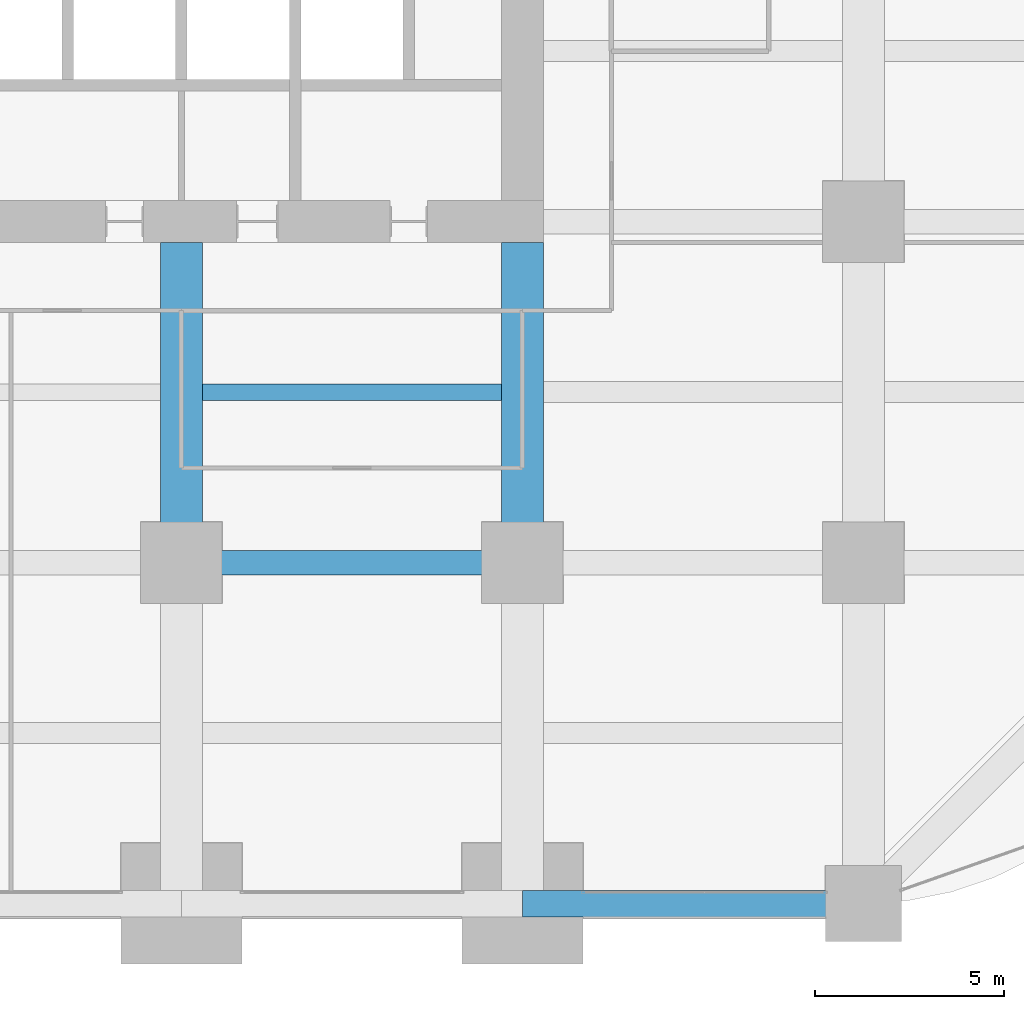
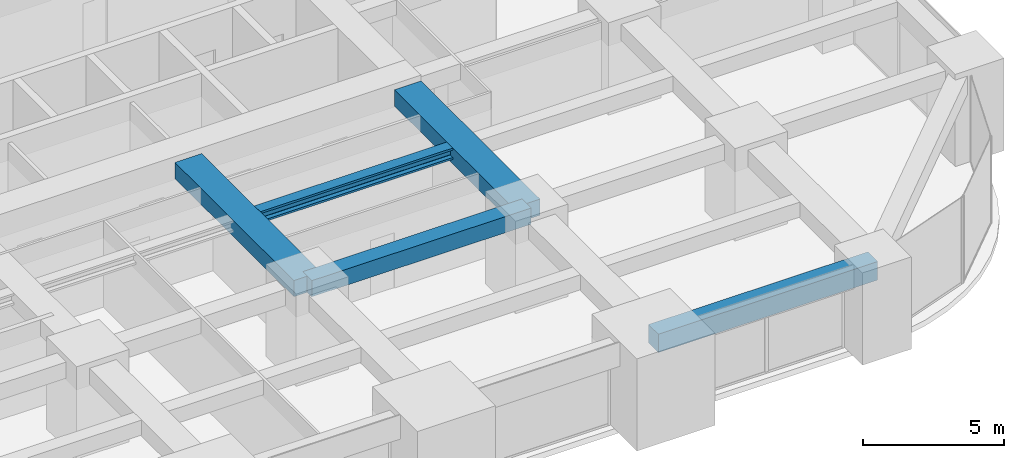
# One storey, part 15 of 41: 5 beams.
"""IFC4 building model written with IfcOpenShell, lengths in metres."""

import ifcopenshell
import ifcopenshell.guid

model = None  # the IFC model being written
_history = None  # IfcOwnerHistory: only IFC2X3 demands one
_inside = {}  # id of a spatial element -> (the spatial element, [elements in it])
_under = {}  # id of a project, library or spatial element -> (it, [spatial elements below it])
_declared = {}  # id of a project -> (the project, [libraries it declares])
_typed = {}  # id of a type object -> (the type object, [elements of that type])
_made_of = {}  # id of a material, layer set ... -> (it, [elements and type objects made of it])


def new_model(schema):
    """Start an empty IFC model of exactly this schema.

    Asked for "IFC4X3", IfcOpenShell would pick the latest addendum, in which some entities
    have other attributes; the version numbers below select the first issue.
    IFC2X3 requires an IfcOwnerHistory on every rooted entity: one is made here for all.
    """
    global model, _history
    if schema == "IFC4X3":
        model = ifcopenshell.file(schema_version=(4, 3, 0, 0))
    else:
        model = ifcopenshell.file(schema=schema)
    _inside.clear()
    _under.clear()
    _declared.clear()
    _typed.clear()
    _made_of.clear()
    _history = None
    if model.schema == "IFC2X3":
        org = make("IfcOrganization", Name="unknown")
        user = make(
            "IfcPersonAndOrganization",
            ThePerson=make("IfcPerson", FamilyName="unknown"),
            TheOrganization=org,
        )
        app = make(
            "IfcApplication",
            ApplicationDeveloper=org,
            Version="unknown",
            ApplicationFullName="unknown",
            ApplicationIdentifier="unknown",
        )
        _history = make(
            "IfcOwnerHistory",
            OwningUser=user,
            OwningApplication=app,
            ChangeAction="ADDED",
            CreationDate=0,
        )
    return model


def make(cls, **values):
    """One entity of the class cls with the attributes given. An attribute that is None is left unset."""
    return model.create_entity(
        cls, **{name: value for name, value in values.items() if value is not None}
    )


def rooted(cls, **values):
    """An entity with a GlobalId (a new one), such as an element, a storey or a relation."""
    return make(cls, GlobalId=ifcopenshell.guid.new(), OwnerHistory=_history, **values)


def si_unit(unit_type, name, prefix=None):
    """IfcSIUnit, for example si_unit("LENGTHUNIT", "METRE", prefix="MILLI")."""
    return make("IfcSIUnit", UnitType=unit_type, Prefix=prefix, Name=name)


def assignment(units):
    """IfcUnitAssignment: the units of a project."""
    return None if units is None else make("IfcUnitAssignment", Units=units)


def point(xyz):
    """IfcCartesianPoint."""
    return None if xyz is None else make("IfcCartesianPoint", Coordinates=xyz)


def direction(xyz):
    """IfcDirection."""
    return None if xyz is None else make("IfcDirection", DirectionRatios=xyz)


def frame(location, z_axis=None, x_axis=None):
    """IfcAxis2Placement3D, a coordinate frame: its origin and axes. An axis left out is left unset."""
    return make(
        "IfcAxis2Placement3D",
        Location=point(location),
        Axis=direction(z_axis),
        RefDirection=direction(x_axis),
    )


def frame_2d(location, x_axis=None):
    """IfcAxis2Placement2D, a coordinate frame in the plane: its origin and x axis."""
    return make(
        "IfcAxis2Placement2D", Location=point(location), RefDirection=direction(x_axis)
    )


def origin():
    """The frame at (0, 0, 0) with its axes left unset."""
    return frame((0.0, 0.0, 0.0))


def origin_2d():
    """The frame at (0, 0) in the plane with its x axis left unset."""
    return frame_2d((0.0, 0.0))


def place(relative_to, where):
    """IfcLocalPlacement: puts the frame where relative to a parent placement (None: the world)."""
    return make(
        "IfcLocalPlacement", PlacementRelTo=relative_to, RelativePlacement=where
    )


def context(
    kind, dimensions, precision=None, world=None, true_north=None, identifier=None
):
    """IfcGeometricRepresentationContext, for example the 3D "Model" context."""
    return make(
        "IfcGeometricRepresentationContext",
        ContextIdentifier=identifier,
        ContextType=kind,
        CoordinateSpaceDimension=dimensions,
        Precision=precision,
        WorldCoordinateSystem=world,
        TrueNorth=true_north,
    )


def subcontext(parent, identifier, kind, view, scale=None):
    """IfcGeometricRepresentationSubContext, for example "Body" below "Model"."""
    return make(
        "IfcGeometricRepresentationSubContext",
        ContextIdentifier=identifier,
        ContextType=kind,
        ParentContext=parent,
        TargetScale=scale,
        TargetView=view,
    )


def project(units=None, contexts=None):
    """IfcProject with its units and contexts."""
    return rooted(
        "IfcProject",
        Name="project",
        RepresentationContexts=contexts,
        UnitsInContext=assignment(units),
    )


def spatial(cls, under=None, at=None, **own):
    """A site, building, storey or space (cls), placed at a placement, below another one or the project."""
    s = rooted(cls, ObjectPlacement=at, **own)
    if under is not None:
        _under.setdefault(under.id(), (under, []))[1].append(s)
    return s


def profile(cls, at=None, kind="AREA", **sizes):
    """A parametric profile (cls). Its sizes go by their IFC names, for example OverallWidth=200.0."""
    return make(cls, ProfileType=kind, Position=at, **sizes)


def rectangle(**sizes):
    """IfcRectangleProfileDef."""
    return profile("IfcRectangleProfileDef", **sizes)


def i_section(**sizes):
    """IfcIShapeProfileDef."""
    return profile("IfcIShapeProfileDef", **sizes)


def extrude(swept, where, along, depth):
    """IfcExtrudedAreaSolid: the profile swept, set in the frame where, extruded along a direction by depth."""
    return make(
        "IfcExtrudedAreaSolid",
        SweptArea=swept,
        Position=where,
        ExtrudedDirection=direction(along),
        Depth=depth,
    )


def shape(context_of_items, identifier, shape_type, items):
    """IfcShapeRepresentation: the items that make up one representation, for example the "Body"."""
    return make(
        "IfcShapeRepresentation",
        ContextOfItems=context_of_items,
        RepresentationIdentifier=identifier,
        RepresentationType=shape_type,
        Items=items,
    )


def material(Name=None, Category=None):
    """IfcMaterial."""
    return make("IfcMaterial", Name=Name, Category=Category)


def material_profile(
    of_material, cross_section, Name=None, Category=None, Priority=None
):
    """IfcMaterialProfile: a cross section and its material."""
    return make(
        "IfcMaterialProfile",
        Name=Name,
        Material=of_material,
        Profile=cross_section,
        Priority=Priority,
        Category=Category,
    )


def profile_set(profiles, Name=None, composite=None):
    """IfcMaterialProfileSet."""
    return make(
        "IfcMaterialProfileSet",
        Name=Name,
        MaterialProfiles=profiles,
        CompositeProfile=composite,
    )


def made_of(thing, what):
    """Note that an element or type object is made of a material, layer set ...; save() writes the relation."""
    if what is not None:
        _made_of.setdefault(what.id(), (what, []))[1].append(thing)
    return thing


def type_object(cls, material=None, **own):
    """A type object (cls), such as IfcWallType, which elements share."""
    return made_of(rooted(cls, **own), material)


def element(
    cls,
    number,
    at=None,
    inside=None,
    cuts=None,
    type_object=None,
    material=None,
    context=None,
    identifier="Body",
    shape_type=None,
    held_by="IfcProductDefinitionShape",
    body=None,
    shapes=None,
    **own,
):
    """One element of the class cls, such as IfcWall. Its Tag is "e" and its number.

    at: its placement. inside: the storey or other place that contains it. cuts: it is an
    opening in that element (IfcRelVoidsElement). A single representation is given by context,
    identifier, shape_type and body (its items); several are given by shapes. held_by: the class
    of the entity that holds the representations. save() writes the other relations.
    """
    e = rooted(cls, Tag="e%d" % number, ObjectPlacement=at, **own)
    if body is not None:
        shapes = [shape(context, identifier, shape_type, body)]
    if shapes is not None:
        e.Representation = make(held_by, Representations=shapes)
    if inside is not None:
        _inside.setdefault(inside.id(), (inside, []))[1].append(e)
    if cuts is not None:
        rooted(
            "IfcRelVoidsElement", RelatingBuildingElement=cuts, RelatedOpeningElement=e
        )
    if type_object is not None:
        _typed.setdefault(type_object.id(), (type_object, []))[1].append(e)
    return made_of(e, material)


def aggregate(whole, parts):
    """IfcRelAggregates: a whole, such as a stair, and the parts it consists of."""
    return rooted("IfcRelAggregates", RelatingObject=whole, RelatedObjects=parts)


def save(model, path):
    """Write the relations noted so far, then the file.

    IfcRelAggregates (storeys below a building ...), IfcRelContainedInSpatialStructure (elements
    in a storey), IfcRelDefinesByType, IfcRelAssociatesMaterial and IfcRelDeclares: one each for
    every whole, place, type object, material and project.
    """
    for whole, parts in _under.values():
        aggregate(whole, parts)
    for where, things in _inside.values():
        rooted(
            "IfcRelContainedInSpatialStructure",
            RelatedElements=things,
            RelatingStructure=where,
        )
    for kind, things in _typed.values():
        rooted("IfcRelDefinesByType", RelatedObjects=things, RelatingType=kind)
    for what, things in _made_of.values():
        rooted("IfcRelAssociatesMaterial", RelatedObjects=things, RelatingMaterial=what)
    for by, libraries in _declared.values():
        rooted("IfcRelDeclares", RelatingContext=by, RelatedDefinitions=libraries)
    model.write(path)


model = new_model("IFC4")

# Units and contexts
model_context = context("Model", 3, precision=1e-05, world=origin(), true_north=direction((0.0, 1.0)))
body_context = subcontext(model_context, "Body", "Model", "MODEL_VIEW")
ifc_project = project(units=[si_unit("LENGTHUNIT", "METRE"), si_unit("AREAUNIT", "SQUARE_METRE"), si_unit("VOLUMEUNIT", "CUBIC_METRE"), si_unit("PLANEANGLEUNIT", "RADIAN"), si_unit("MASSUNIT", "GRAM", prefix="KILO")], contexts=[model_context])

# Site, building, storey
site_placement = place(None, origin())
site = spatial("IfcSite", under=ifc_project, at=site_placement, CompositionType="ELEMENT")
building_placement = place(site_placement, origin())
building = spatial("IfcBuilding", under=site, at=building_placement, Name="Zorevar Civic Tower", CompositionType="ELEMENT")
storey_placement = place(building_placement, frame((0.0, 0.0, 89.0)))
storey = spatial("IfcBuildingStorey", under=building, at=storey_placement, Name="L21", CompositionType="ELEMENT", Elevation=89.0)

# Beams
ifc_material_1 = material(Name="Concrete C50/60", Category="concrete")
ifc_material_profile_1 = material_profile(ifc_material_1, rectangle(XDim=1.10009765625, YDim=0.699951171875, at=origin_2d()), Name="RC 1100x700")
ifc_profile_set_1 = profile_set([ifc_material_profile_1], Name="Concrete C50/60")
beam_type_1 = type_object("IfcBeamType", Name="Beam RC 1100x700", PredefinedType="BEAM", material=ifc_profile_set_1)
for number, where, z_axis, x_axis, name in (
    (1, (36.0, 9.0, 3.39990234375), (0.0, 1.0, 0.0), (-1.0, 0.0, 0.0), "Girder L22"),
    (2, (45.0, 9.0, 3.39990234375), (0.0, 1.0, 0.0), (-1.0, 0.0, 0.0), "Girder L22"),
):
    element("IfcBeam", number, at=place(storey_placement, frame(where, z_axis=z_axis, x_axis=x_axis)), inside=storey, type_object=beam_type_1, Name=name, PredefinedType="BEAM", context=body_context, shape_type="SweptSolid", body=[
        extrude(rectangle(XDim=1.10009765625, YDim=0.699951171875, at=origin_2d()), origin(), (0.0, 0.0, 1.0), 8.449951171875),
    ])
ifc_material_2 = material(Name="Concrete C50/60", Category="concrete")
ifc_material_profile_2 = material_profile(ifc_material_2, rectangle(XDim=0.64990234375, YDim=0.699951171875, at=origin_2d()), Name="RC 650x700")
ifc_profile_set_2 = profile_set([ifc_material_profile_2], Name="Concrete C50/60")
beam_type_2 = type_object("IfcBeamType", Name="Beam RC 650x700", PredefinedType="BEAM", material=ifc_profile_set_2)
beam_1_placement = place(storey_placement, frame((36.0, 9.0, 3.39990234375), z_axis=(1.0, 0.0, 0.0), x_axis=(0.0, 1.0, 0.0)))
element("IfcBeam", 3, at=beam_1_placement, inside=storey, type_object=beam_type_2, Name="Girder L22", PredefinedType="BEAM", context=body_context, shape_type="SweptSolid", body=[
    extrude(rectangle(XDim=0.64990234375, YDim=0.699951171875, at=origin_2d()), origin(), (0.0, 0.0, 1.0), 9.0),
])
ifc_material_3 = material(Name="Steel S460M (HISTAR 460)", Category="steel")
ifc_material_profile_3 = material_profile(ifc_material_3, i_section(OverallWidth=0.431884765625, OverallDepth=0.498046875, WebThickness=0.0556640625, FlangeThickness=0.0888671875, FilletRadius=0.014892578125, at=origin_2d()), Name="HD 400x744")
ifc_profile_set_3 = profile_set([ifc_material_profile_3], Name="Steel S460M (HISTAR 460)")
beam_type_3 = type_object("IfcBeamType", Name="Core bay beam HD 400x744", PredefinedType="BEAM", material=ifc_profile_set_3)
beam_2_placement = place(storey_placement, frame((36.550048828125, 13.5, 3.5009765625), z_axis=(1.0, 0.0, 0.0), x_axis=(0.0, 1.0, 0.0)))
element("IfcBeam", 4, at=beam_2_placement, inside=storey, type_object=beam_type_3, Name="Secondary beam L22", PredefinedType="BEAM", context=body_context, shape_type="SweptSolid", body=[
    extrude(i_section(OverallWidth=0.431884765625, OverallDepth=0.498046875, WebThickness=0.0556640625, FlangeThickness=0.0888671875, FilletRadius=0.014892578125, at=origin_2d()), origin(), (0.0, 0.0, 1.0), 7.89990234375),
])
ifc_material_4 = material(Name="Concrete C50/60", Category="concrete")
ifc_material_profile_4 = material_profile(ifc_material_4, rectangle(XDim=0.699951171875, YDim=0.800048828125, at=origin_2d()), Name="RC 700x800")
ifc_profile_set_4 = profile_set([ifc_material_profile_4], Name="Concrete C50/60")
beam_type_4 = type_object("IfcBeamType", Name="Edge beam RC 700x800", PredefinedType="SPANDREL", material=ifc_profile_set_4)
beam_3_placement = place(storey_placement, frame((45.0, 0.0, 3.35009765625), z_axis=(1.0, 0.0, 0.0), x_axis=(0.0, 1.0, 0.0)))
element("IfcBeam", 5, at=beam_3_placement, inside=storey, type_object=beam_type_4, Name="Edge beam L22", PredefinedType="SPANDREL", context=body_context, shape_type="SweptSolid", body=[
    extrude(rectangle(XDim=0.699951171875, YDim=0.800048828125, at=origin_2d()), origin(), (0.0, 0.0, 1.0), 9.0),
])

save(model, "model.ifc")
